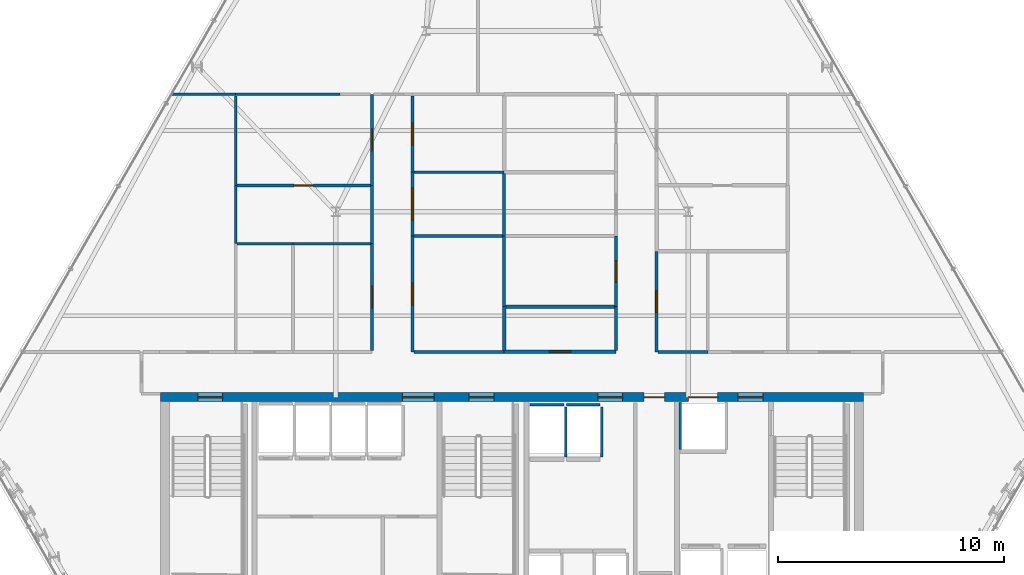
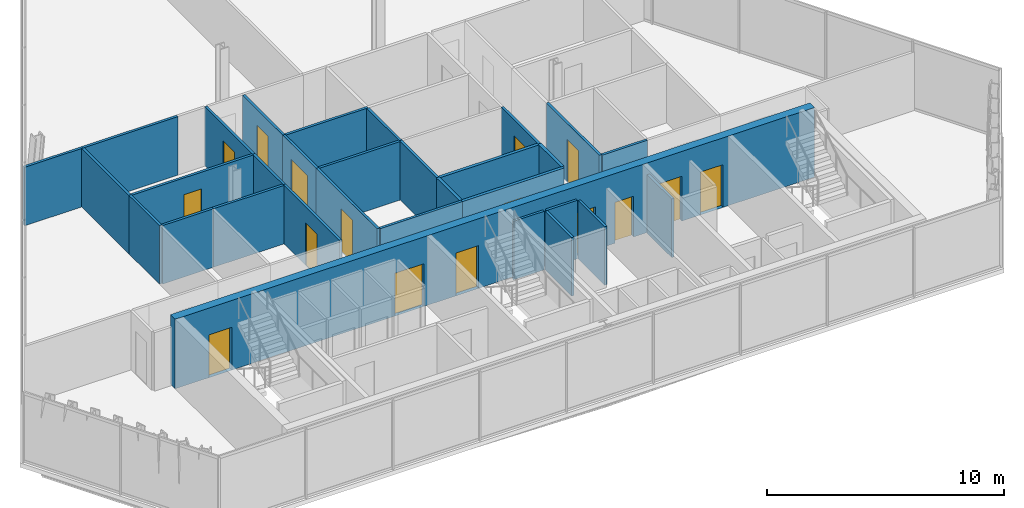
# One storey, part 28 of 33: 31 walls, 16 doors, 16 openings.
"""IFC4 building model written with IfcOpenShell, lengths in metres."""

from ifc_helpers import new_model, si_unit, direction, frame, frame_2d, origin, place, context, subcontext, project, spatial, rectangle, extrude, material, layer, layer_set, type_object, element, fill, save


model = new_model("IFC4")

# Units and contexts
model_context = context("Model", 3, precision=1e-05, world=origin(), true_north=direction((0.0, 1.0)))
body_context = subcontext(model_context, "Body", "Model", "MODEL_VIEW")
ifc_project = project(units=[si_unit("LENGTHUNIT", "METRE"), si_unit("AREAUNIT", "SQUARE_METRE"), si_unit("VOLUMEUNIT", "CUBIC_METRE"), si_unit("PLANEANGLEUNIT", "RADIAN"), si_unit("MASSUNIT", "GRAM", prefix="KILO")], contexts=[model_context])

# Site, building, storey
site_placement = place(None, origin())
site = spatial("IfcSite", under=ifc_project, at=site_placement, CompositionType="ELEMENT")
building_placement = place(site_placement, origin())
building = spatial("IfcBuilding", under=site, at=building_placement, Name="Ndaravel Arena Tower", CompositionType="ELEMENT")
storey_placement = place(building_placement, frame((0.0, 0.0, 187.800048828125)))
storey = spatial("IfcBuildingStorey", under=building, at=storey_placement, Name="L45", CompositionType="ELEMENT", Elevation=187.800048828125)

# Wall, openings, doors
ifc_material_1 = material(Name="Concrete C50/60", Category="concrete")
ifc_layer_1 = layer(ifc_material_1, 0.39990234375)
ifc_layer_set_1 = layer_set([ifc_layer_1], Name="Concrete C50/60")
wall_type_1 = type_object("IfcWallType", Name="WALL-CORE-400", PredefinedType="SOLIDWALL", material=ifc_layer_set_1)
wall_1_placement = place(storey_placement, frame((26.449951171875, 15.0, 0.0), z_axis=(0.0, 0.0, 1.0), x_axis=(1.0, 0.0, 0.0)))
wall_1 = element("IfcWall", 1, at=wall_1_placement, inside=storey, type_object=wall_type_1, Name="L45 Core North Shear Wall", PredefinedType="SOLIDWALL", context=body_context, shape_type="SweptSolid", body=[
    extrude(rectangle(XDim=31.10009765625, YDim=0.39990234375, at=frame_2d((15.550048828125, 0.0))), origin(), (0.0, 0.0, 1.0), 3.579833984375),
])
opening_1_placement = place(wall_1_placement, frame((1.64990234375, 0.0, 0.0)))
opening_1 = element("IfcOpeningElement", 2, at=opening_1_placement, cuts=wall_1, Name="Opening FD-01", PredefinedType="OPENING", context=body_context, shape_type="SweptSolid", body=[
    extrude(rectangle(XDim=1.10009765625, YDim=2.199951171875, at=frame_2d((0.550048828125, 1.10009765625))), frame((0.0, 0.199951171875, 0.0), z_axis=(0.0, -1.0, 0.0), x_axis=(1.0, 0.0, 0.0)), (0.0, 0.0, 1.0), 0.39990234375),
])
opening_2_placement = place(wall_1_placement, frame((13.64990234375, 0.0, 0.0)))
opening_2 = element("IfcOpeningElement", 3, at=opening_2_placement, cuts=wall_1, Name="Opening FD-01", PredefinedType="OPENING", context=body_context, shape_type="SweptSolid", body=[
    extrude(rectangle(XDim=1.10009765625, YDim=2.199951171875, at=frame_2d((0.550048828125, 1.10009765625))), frame((0.0, 0.199951171875, 0.0), z_axis=(0.0, -1.0, 0.0), x_axis=(1.0, 0.0, 0.0)), (0.0, 0.0, 1.0), 0.39990234375),
])
opening_3_placement = place(wall_1_placement, frame((25.550048828125, 0.0, 0.0)))
opening_3 = element("IfcOpeningElement", 4, at=opening_3_placement, cuts=wall_1, Name="Opening FD-01", PredefinedType="OPENING", context=body_context, shape_type="SweptSolid", body=[
    extrude(rectangle(XDim=1.10009765625, YDim=2.199951171875, at=frame_2d((0.550048828125, 1.10009765625))), frame((0.0, 0.199951171875, 0.0), z_axis=(0.0, -1.0, 0.0), x_axis=(1.0, 0.0, 0.0)), (0.0, 0.0, 1.0), 0.39990234375),
])
opening_4_placement = place(wall_1_placement, frame((10.699951171875, 0.0, 0.0)))
opening_4 = element("IfcOpeningElement", 5, at=opening_4_placement, cuts=wall_1, Name="Opening ID-02", PredefinedType="OPENING", context=body_context, shape_type="SweptSolid", body=[
    extrude(rectangle(XDim=1.39990234375, YDim=2.199951171875, at=frame_2d((0.699951171875, 1.10009765625))), frame((0.0, 0.199951171875, 0.0), z_axis=(0.0, -1.0, 0.0), x_axis=(1.0, 0.0, 0.0)), (0.0, 0.0, 1.0), 0.39990234375),
])
opening_5_placement = place(wall_1_placement, frame((19.35009765625, 0.0, 0.0)))
opening_5 = element("IfcOpeningElement", 6, at=opening_5_placement, cuts=wall_1, Name="Opening FD-01", PredefinedType="OPENING", context=body_context, shape_type="SweptSolid", body=[
    extrude(rectangle(XDim=1.10009765625, YDim=2.199951171875, at=frame_2d((0.550048828125, 1.10009765625))), frame((0.0, 0.199951171875, 0.0), z_axis=(0.0, -1.0, 0.0), x_axis=(1.0, 0.0, 0.0)), (0.0, 0.0, 1.0), 0.39990234375),
])
opening_6_placement = place(wall_1_placement, frame((21.39990234375, 0.0, 0.0)))
opening_6 = element("IfcOpeningElement", 7, at=opening_6_placement, cuts=wall_1, Name="Opening RD-01", PredefinedType="OPENING", context=body_context, shape_type="SweptSolid", body=[
    extrude(rectangle(XDim=0.89990234375, YDim=2.10009765625, at=frame_2d((0.449951171875, 1.050048828125))), frame((0.0, 0.199951171875, 0.0), z_axis=(0.0, -1.0, 0.0), x_axis=(1.0, 0.0, 0.0)), (0.0, 0.0, 1.0), 0.39990234375),
])
opening_7_placement = place(wall_1_placement, frame((23.35009765625, 0.0, 0.0)))
opening_7 = element("IfcOpeningElement", 8, at=opening_7_placement, cuts=wall_1, Name="Opening LD-02", PredefinedType="OPENING", context=body_context, shape_type="SweptSolid", body=[
    extrude(rectangle(XDim=1.300048828125, YDim=2.300048828125, at=frame_2d((0.64990234375, 1.14990234375))), frame((0.0, 0.199951171875, 0.0), z_axis=(0.0, -1.0, 0.0), x_axis=(1.0, 0.0, 0.0)), (0.0, 0.0, 1.0), 0.39990234375),
])
ifc_material_2 = material(Name="Steel S355", Category="steel")
door_type_1 = type_object("IfcDoorType", Name="DT-01-STAIR-1100", OperationType="SINGLE_SWING_LEFT", PredefinedType="DOOR", material=ifc_material_2)
door_1_placement = place(opening_1_placement, origin())
door_1 = element("IfcDoor", 9, at=door_1_placement, inside=storey, type_object=door_type_1, Name="L45 Exit Stair ST-1 Door", OperationType="SINGLE_SWING_RIGHT", OverallHeight=2.199951171875, OverallWidth=1.10009765625, PredefinedType="DOOR", context=body_context, shape_type="SweptSolid", body=[
    extrude(rectangle(XDim=1.10009765625, YDim=2.199951171875, at=frame_2d((0.550048828125, 1.10009765625))), frame((0.0, 0.02490234375, 0.0), z_axis=(0.0, -1.0, 0.0), x_axis=(1.0, 0.0, 0.0)), (0.0, 0.0, 1.0), 0.050048828125),
])
fill(opening_1, door_1)
door_2_placement = place(opening_2_placement, origin())
door_2 = element("IfcDoor", 10, at=door_2_placement, inside=storey, type_object=door_type_1, Name="L45 Exit Stair ST-2 Door", OperationType="SINGLE_SWING_LEFT", OverallHeight=2.199951171875, OverallWidth=1.10009765625, PredefinedType="DOOR", context=body_context, shape_type="SweptSolid", body=[
    extrude(rectangle(XDim=1.10009765625, YDim=2.199951171875, at=frame_2d((0.550048828125, 1.10009765625))), frame((0.0, 0.02490234375, 0.0), z_axis=(0.0, -1.0, 0.0), x_axis=(1.0, 0.0, 0.0)), (0.0, 0.0, 1.0), 0.050048828125),
])
fill(opening_2, door_2)
door_3_placement = place(opening_3_placement, origin())
door_3 = element("IfcDoor", 11, at=door_3_placement, inside=storey, type_object=door_type_1, Name="L45 Firefighting Lift Lobby Door", OperationType="SINGLE_SWING_RIGHT", OverallHeight=2.199951171875, OverallWidth=1.10009765625, PredefinedType="DOOR", context=body_context, shape_type="SweptSolid", body=[
    extrude(rectangle(XDim=1.10009765625, YDim=2.199951171875, at=frame_2d((0.550048828125, 1.10009765625))), frame((0.0, 0.02490234375, 0.0), z_axis=(0.0, -1.0, 0.0), x_axis=(1.0, 0.0, 0.0)), (0.0, 0.0, 1.0), 0.050048828125),
])
fill(opening_3, door_3)
door_4_placement = place(opening_5_placement, origin())
door_4 = element("IfcDoor", 12, at=door_4_placement, inside=storey, type_object=door_type_1, Name="L45 Express Lift Lobby Entry Door", OperationType="SINGLE_SWING_LEFT", OverallHeight=2.199951171875, OverallWidth=1.10009765625, PredefinedType="DOOR", context=body_context, shape_type="SweptSolid", body=[
    extrude(rectangle(XDim=1.10009765625, YDim=2.199951171875, at=frame_2d((0.550048828125, 1.10009765625))), frame((0.0, 0.02490234375, 0.0), z_axis=(0.0, -1.0, 0.0), x_axis=(1.0, 0.0, 0.0)), (0.0, 0.0, 1.0), 0.050048828125),
])
fill(opening_5, door_4)
ifc_material_3 = material(Name="Timber", Category="wood")
door_type_2 = type_object("IfcDoorType", Name="DT-04-SUITE-1400", OperationType="DOUBLE_DOOR_SINGLE_SWING", PredefinedType="DOOR", material=ifc_material_3)
door_5_placement = place(opening_4_placement, origin())
door_5 = element("IfcDoor", 13, at=door_5_placement, inside=storey, type_object=door_type_2, Name="L45 West Lift Lobby Entry Door", OperationType="DOUBLE_DOOR_SINGLE_SWING", OverallHeight=2.199951171875, OverallWidth=1.39990234375, PredefinedType="DOOR", context=body_context, shape_type="SweptSolid", body=[
    extrude(rectangle(XDim=1.39990234375, YDim=2.199951171875, at=frame_2d((0.699951171875, 1.10009765625))), frame((0.0, 0.02490234375, 0.0), z_axis=(0.0, -1.0, 0.0), x_axis=(1.0, 0.0, 0.0)), (0.0, 0.0, 1.0), 0.050048828125),
])
fill(opening_4, door_5)
ifc_material_4 = material(Name="Steel S355", Category="steel")
door_type_3 = type_object("IfcDoorType", Name="DT-07-SVLIFT-1300", OperationType="DOUBLE_DOOR_SLIDING", PredefinedType="DOOR", material=ifc_material_4)
door_6_placement = place(opening_7_placement, origin())
door_6 = element("IfcDoor", 14, at=door_6_placement, inside=storey, type_object=door_type_3, Name="L45 Lift SVL-1 Sliding Landing Door", OperationType="DOUBLE_DOOR_SLIDING", OverallHeight=2.300048828125, OverallWidth=1.300048828125, PredefinedType="DOOR", context=body_context, shape_type="SweptSolid", body=[
    extrude(rectangle(XDim=1.300048828125, YDim=2.300048828125, at=frame_2d((0.64990234375, 1.14990234375))), frame((0.0, 0.02490234375, 0.0), z_axis=(0.0, -1.0, 0.0), x_axis=(1.0, 0.0, 0.0)), (0.0, 0.0, 1.0), 0.050048828125),
])
fill(opening_7, door_6)
ifc_material_5 = material(Name="Steel S355", Category="steel")
door_type_4 = type_object("IfcDoorType", Name="DT-08-RISER-900", OperationType="SINGLE_SWING_LEFT", PredefinedType="DOOR", material=ifc_material_5)
door_7_placement = place(opening_6_placement, origin())
door_7 = element("IfcDoor", 15, at=door_7_placement, inside=storey, type_object=door_type_4, Name="L45 Core Service Riser North Door", OperationType="SINGLE_SWING_LEFT", OverallHeight=2.10009765625, OverallWidth=0.89990234375, PredefinedType="DOOR", context=body_context, shape_type="SweptSolid", body=[
    extrude(rectangle(XDim=0.89990234375, YDim=2.10009765625, at=frame_2d((0.449951171875, 1.050048828125))), frame((0.0, 0.02490234375, 0.0), z_axis=(0.0, -1.0, 0.0), x_axis=(1.0, 0.0, 0.0)), (0.0, 0.0, 1.0), 0.050048828125),
])
fill(opening_6, door_7)

# Wall, opening, door
ifc_material_6 = material(Name="Gypsum", Category="gypsum")
ifc_layer_2 = layer(ifc_material_6, 0.125)
ifc_layer_set_2 = layer_set([ifc_layer_2], Name="Gypsum")
wall_type_2 = type_object("IfcWallType", Name="WALL-PART-125", PredefinedType="PARTITIONING", material=ifc_layer_set_2)
wall_2_placement = place(storey_placement, frame((35.800048828125, 17.06494140625, 0.0), z_axis=(0.0, 0.0, 1.0), x_axis=(0.0, 1.0, 0.0)))
wall_2 = element("IfcWall", 16, at=wall_2_placement, inside=storey, type_object=wall_type_2, Name="L45 Interior Partition 009", PredefinedType="PARTITIONING", context=body_context, shape_type="SweptSolid", body=[
    extrude(rectangle(XDim=4.72314453125, YDim=0.125, at=frame_2d((2.361572265625, 0.0))), origin(), (0.0, 0.0, 1.0), 3.010498046875),
])
opening_8_placement = place(wall_2_placement, frame((1.886474609375, 0.0, 0.0)))
opening_8 = element("IfcOpeningElement", 17, at=opening_8_placement, cuts=wall_2, Name="Opening ID-01", PredefinedType="OPENING", context=body_context, shape_type="SweptSolid", body=[
    extrude(rectangle(XDim=0.949951171875, YDim=2.199951171875, at=frame_2d((0.47509765625, 1.10009765625))), frame((0.0, 0.0625, 0.0), z_axis=(0.0, -1.0, 0.0), x_axis=(1.0, 0.0, 0.0)), (0.0, 0.0, 1.0), 0.125),
])
ifc_material_7 = material(Name="Timber", Category="wood")
door_type_5 = type_object("IfcDoorType", Name="DT-03-OFFICE-950", OperationType="SINGLE_SWING_LEFT", PredefinedType="DOOR", material=ifc_material_7)
door_8_placement = place(opening_8_placement, origin())
door_8 = element("IfcDoor", 18, at=door_8_placement, inside=storey, type_object=door_type_5, Name="L45 Tenant Mail & Post Room 2 Door", OperationType="SINGLE_SWING_RIGHT", OverallHeight=2.199951171875, OverallWidth=0.949951171875, PredefinedType="DOOR", context=body_context, shape_type="SweptSolid", body=[
    extrude(rectangle(XDim=0.949951171875, YDim=2.199951171875, at=frame_2d((0.47509765625, 1.10009765625))), frame((0.0, 0.02490234375, 0.0), z_axis=(0.0, -1.0, 0.0), x_axis=(1.0, 0.0, 0.0)), (0.0, 0.0, 1.0), 0.050048828125),
])
fill(opening_8, door_8)

# Wall
wall_3_placement = place(storey_placement, frame((35.800048828125, 21.7880859375, 0.0), z_axis=(0.0, 0.0, 1.0), x_axis=(0.0, 1.0, 0.0)))
element("IfcWall", 19, at=wall_3_placement, inside=storey, type_object=wall_type_2, Name="L45 Interior Partition 010", PredefinedType="PARTITIONING", context=body_context, shape_type="SweptSolid", body=[
    extrude(rectangle(XDim=2.57861328125, YDim=0.125, at=frame_2d((1.289306640625, 0.0))), origin(), (0.0, 0.0, 1.0), 3.010498046875),
])

# Wall, opening, door
wall_4_placement = place(storey_placement, frame((35.800048828125, 24.36669921875, 0.0), z_axis=(0.0, 0.0, 1.0), x_axis=(0.0, 1.0, 0.0)))
wall_4 = element("IfcWall", 20, at=wall_4_placement, inside=storey, type_object=wall_type_2, Name="L45 Interior Partition 011", PredefinedType="PARTITIONING", context=body_context, shape_type="SweptSolid", body=[
    extrude(rectangle(XDim=4.033203125, YDim=0.125, at=frame_2d((2.0166015625, 0.0))), origin(), (0.0, 0.0, 1.0), 3.010498046875),
])
opening_9_placement = place(wall_4_placement, frame((1.54150390625, 0.0, 0.0)))
opening_9 = element("IfcOpeningElement", 21, at=opening_9_placement, cuts=wall_4, Name="Opening ID-01", PredefinedType="OPENING", context=body_context, shape_type="SweptSolid", body=[
    extrude(rectangle(XDim=0.949951171875, YDim=2.199951171875, at=frame_2d((0.47509765625, 1.10009765625))), frame((0.0, 0.0625, 0.0), z_axis=(0.0, -1.0, 0.0), x_axis=(1.0, 0.0, 0.0)), (0.0, 0.0, 1.0), 0.125),
])
door_9_placement = place(opening_9_placement, origin())
door_9 = element("IfcDoor", 22, at=door_9_placement, inside=storey, type_object=door_type_5, Name="L45 Project Seminar Room 7 Door", OperationType="SINGLE_SWING_LEFT", OverallHeight=2.199951171875, OverallWidth=0.949951171875, PredefinedType="DOOR", context=body_context, shape_type="SweptSolid", body=[
    extrude(rectangle(XDim=0.949951171875, YDim=2.199951171875, at=frame_2d((0.47509765625, 1.10009765625))), frame((0.0, 0.02490234375, 0.0), z_axis=(0.0, -1.0, 0.0), x_axis=(1.0, 0.0, 0.0)), (0.0, 0.0, 1.0), 0.050048828125),
])
fill(opening_9, door_9)

wall_5_placement = place(storey_placement, frame((37.60009765625, 28.3349609375, 0.0), z_axis=(0.0, 0.0, 1.0), x_axis=(0.0, -1.0, 0.0)))
wall_5 = element("IfcWall", 23, at=wall_5_placement, inside=storey, type_object=wall_type_2, Name="L45 Interior Partition 013", PredefinedType="PARTITIONING", context=body_context, shape_type="SweptSolid", body=[
    extrude(rectangle(XDim=3.383544921875, YDim=0.125, at=frame_2d((1.69189453125, 0.0))), origin(), (0.0, 0.0, 1.0), 3.010498046875),
])
opening_10_placement = place(wall_5_placement, frame((1.216796875, 0.0, 0.0)))
opening_10 = element("IfcOpeningElement", 24, at=opening_10_placement, cuts=wall_5, Name="Opening ID-01", PredefinedType="OPENING", context=body_context, shape_type="SweptSolid", body=[
    extrude(rectangle(XDim=0.949951171875, YDim=2.199951171875, at=frame_2d((0.47509765625, 1.10009765625))), frame((0.0, 0.0625, 0.0), z_axis=(0.0, -1.0, 0.0), x_axis=(1.0, 0.0, 0.0)), (0.0, 0.0, 1.0), 0.125),
])
door_10_placement = place(opening_10_placement, origin())
door_10 = element("IfcDoor", 25, at=door_10_placement, inside=storey, type_object=door_type_5, Name="L45 Training Classroom 8 Door", OperationType="SINGLE_SWING_LEFT", OverallHeight=2.199951171875, OverallWidth=0.949951171875, PredefinedType="DOOR", context=body_context, shape_type="SweptSolid", body=[
    extrude(rectangle(XDim=0.949951171875, YDim=2.199951171875, at=frame_2d((0.47509765625, 1.10009765625))), frame((0.0, 0.02490234375, 0.0), z_axis=(0.0, -1.0, 0.0), x_axis=(1.0, 0.0, 0.0)), (0.0, 0.0, 1.0), 0.050048828125),
])
fill(opening_10, door_10)

wall_6_placement = place(storey_placement, frame((37.60009765625, 24.951416015625, 0.0), z_axis=(0.0, 0.0, 1.0), x_axis=(0.0, -1.0, 0.0)))
wall_6 = element("IfcWall", 26, at=wall_6_placement, inside=storey, type_object=wall_type_2, Name="L45 Interior Partition 014", PredefinedType="PARTITIONING", context=body_context, shape_type="SweptSolid", body=[
    extrude(rectangle(XDim=2.821533203125, YDim=0.125, at=frame_2d((1.41064453125, 0.0))), origin(), (0.0, 0.0, 1.0), 3.010498046875),
])
opening_11_placement = place(wall_6_placement, frame((0.710693359375, 0.0, 0.0)))
opening_11 = element("IfcOpeningElement", 27, at=opening_11_placement, cuts=wall_6, Name="Opening ID-02", PredefinedType="OPENING", context=body_context, shape_type="SweptSolid", body=[
    extrude(rectangle(XDim=1.39990234375, YDim=2.199951171875, at=frame_2d((0.699951171875, 1.10009765625))), frame((0.0, 0.0625, 0.0), z_axis=(0.0, -1.0, 0.0), x_axis=(1.0, 0.0, 0.0)), (0.0, 0.0, 1.0), 0.125),
])
door_11_placement = place(opening_11_placement, origin())
door_11 = element("IfcDoor", 28, at=door_11_placement, inside=storey, type_object=door_type_2, Name="L45 Client Conference Room 6 Door", OperationType="SINGLE_SWING_LEFT", OverallHeight=2.199951171875, OverallWidth=1.39990234375, PredefinedType="DOOR", context=body_context, shape_type="SweptSolid", body=[
    extrude(rectangle(XDim=1.39990234375, YDim=2.199951171875, at=frame_2d((0.699951171875, 1.10009765625))), frame((0.0, 0.02490234375, 0.0), z_axis=(0.0, -1.0, 0.0), x_axis=(1.0, 0.0, 0.0)), (0.0, 0.0, 1.0), 0.050048828125),
])
fill(opening_11, door_11)

wall_7_placement = place(storey_placement, frame((37.60009765625, 22.1298828125, 0.0), z_axis=(0.0, 0.0, 1.0), x_axis=(0.0, -1.0, 0.0)))
wall_7 = element("IfcWall", 29, at=wall_7_placement, inside=storey, type_object=wall_type_2, Name="L45 Interior Partition 015", PredefinedType="PARTITIONING", context=body_context, shape_type="SweptSolid", body=[
    extrude(rectangle(XDim=5.1298828125, YDim=0.125, at=frame_2d((2.56494140625, 0.0))), origin(), (0.0, 0.0, 1.0), 3.010498046875),
])
opening_12_placement = place(wall_7_placement, frame((2.090087890625, 0.0, 0.0)))
opening_12 = element("IfcOpeningElement", 30, at=opening_12_placement, cuts=wall_7, Name="Opening ID-01", PredefinedType="OPENING", context=body_context, shape_type="SweptSolid", body=[
    extrude(rectangle(XDim=0.949951171875, YDim=2.199951171875, at=frame_2d((0.47509765625, 1.10009765625))), frame((0.0, 0.0625, 0.0), z_axis=(0.0, -1.0, 0.0), x_axis=(1.0, 0.0, 0.0)), (0.0, 0.0, 1.0), 0.125),
])
door_12_placement = place(opening_12_placement, origin())
door_12 = element("IfcDoor", 31, at=door_12_placement, inside=storey, type_object=door_type_5, Name="L45 Facilities Operations Room 3 Door", OperationType="SINGLE_SWING_LEFT", OverallHeight=2.199951171875, OverallWidth=0.949951171875, PredefinedType="DOOR", context=body_context, shape_type="SweptSolid", body=[
    extrude(rectangle(XDim=0.949951171875, YDim=2.199951171875, at=frame_2d((0.47509765625, 1.10009765625))), frame((0.0, 0.02490234375, 0.0), z_axis=(0.0, -1.0, 0.0), x_axis=(1.0, 0.0, 0.0)), (0.0, 0.0, 1.0), 0.050048828125),
])
fill(opening_12, door_12)

# Wall
wall_8_placement = place(storey_placement, frame((37.6650390625, 17.0, 0.0), z_axis=(0.0, 0.0, 1.0), x_axis=(1.0, 0.0, 0.0)))
element("IfcWall", 32, at=wall_8_placement, inside=storey, type_object=wall_type_2, Name="L45 Interior Partition 016", PredefinedType="PARTITIONING", context=body_context, shape_type="SweptSolid", body=[
    extrude(rectangle(XDim=3.98486328125, YDim=0.125, at=frame_2d((1.992431640625, 0.0))), origin(), (0.0, 0.0, 1.0), 3.010498046875),
])

# Wall, opening, door
wall_9_placement = place(storey_placement, frame((46.60009765625, 19.000732421875, 0.0), z_axis=(0.0, 0.0, 1.0), x_axis=(0.0, 1.0, 0.0)))
wall_9 = element("IfcWall", 33, at=wall_9_placement, inside=storey, type_object=wall_type_2, Name="L45 Interior Partition 019", PredefinedType="PARTITIONING", context=body_context, shape_type="SweptSolid", body=[
    extrude(rectangle(XDim=3.129150390625, YDim=0.125, at=frame_2d((1.564453125, 0.0))), origin(), (0.0, 0.0, 1.0), 3.010498046875),
])
opening_13_placement = place(wall_9_placement, frame((1.089599609375, 0.0, 0.0)))
opening_13 = element("IfcOpeningElement", 34, at=opening_13_placement, cuts=wall_9, Name="Opening ID-01", PredefinedType="OPENING", context=body_context, shape_type="SweptSolid", body=[
    extrude(rectangle(XDim=0.949951171875, YDim=2.199951171875, at=frame_2d((0.47509765625, 1.10009765625))), frame((0.0, 0.0625, 0.0), z_axis=(0.0, -1.0, 0.0), x_axis=(1.0, 0.0, 0.0)), (0.0, 0.0, 1.0), 0.125),
])
door_13_placement = place(opening_13_placement, origin())
door_13 = element("IfcDoor", 35, at=door_13_placement, inside=storey, type_object=door_type_5, Name="L45 Training Classroom 4 Door", OperationType="SINGLE_SWING_RIGHT", OverallHeight=2.199951171875, OverallWidth=0.949951171875, PredefinedType="DOOR", context=body_context, shape_type="SweptSolid", body=[
    extrude(rectangle(XDim=0.949951171875, YDim=2.199951171875, at=frame_2d((0.47509765625, 1.10009765625))), frame((0.0, 0.02490234375, 0.0), z_axis=(0.0, -1.0, 0.0), x_axis=(1.0, 0.0, 0.0)), (0.0, 0.0, 1.0), 0.050048828125),
])
fill(opening_13, door_13)

wall_10_placement = place(storey_placement, frame((48.39990234375, 21.446044921875, 0.0), z_axis=(0.0, 0.0, 1.0), x_axis=(0.0, -1.0, 0.0)))
wall_10 = element("IfcWall", 36, at=wall_10_placement, inside=storey, type_object=wall_type_2, Name="L45 Interior Partition 025", PredefinedType="PARTITIONING", context=body_context, shape_type="SweptSolid", body=[
    extrude(rectangle(XDim=4.446044921875, YDim=0.125, at=frame_2d((2.22314453125, 0.0))), origin(), (0.0, 0.0, 1.0), 3.010498046875),
])
opening_14_placement = place(wall_10_placement, frame((1.748046875, 0.0, 0.0)))
opening_14 = element("IfcOpeningElement", 37, at=opening_14_placement, cuts=wall_10, Name="Opening ID-01", PredefinedType="OPENING", context=body_context, shape_type="SweptSolid", body=[
    extrude(rectangle(XDim=0.949951171875, YDim=2.199951171875, at=frame_2d((0.47509765625, 1.10009765625))), frame((0.0, 0.0625, 0.0), z_axis=(0.0, -1.0, 0.0), x_axis=(1.0, 0.0, 0.0)), (0.0, 0.0, 1.0), 0.125),
])
door_14_placement = place(opening_14_placement, origin())
door_14 = element("IfcDoor", 38, at=door_14_placement, inside=storey, type_object=door_type_5, Name="L45 Staff Wellness Clinic Door", OperationType="SINGLE_SWING_LEFT", OverallHeight=2.199951171875, OverallWidth=0.949951171875, PredefinedType="DOOR", context=body_context, shape_type="SweptSolid", body=[
    extrude(rectangle(XDim=0.949951171875, YDim=2.199951171875, at=frame_2d((0.47509765625, 1.10009765625))), frame((0.0, 0.02490234375, 0.0), z_axis=(0.0, -1.0, 0.0), x_axis=(1.0, 0.0, 0.0)), (0.0, 0.0, 1.0), 0.050048828125),
])
fill(opening_14, door_14)

# Walls
wall_11_placement = place(storey_placement, frame((48.465087890625, 17.0, 0.0), z_axis=(0.0, 0.0, 1.0), x_axis=(1.0, 0.0, 0.0)))
element("IfcWall", 39, at=wall_11_placement, inside=storey, type_object=wall_type_2, Name="L45 Interior Partition 026", PredefinedType="PARTITIONING", context=body_context, shape_type="SweptSolid", body=[
    extrude(rectangle(XDim=2.197021484375, YDim=0.125, at=frame_2d((1.0986328125, 0.0))), origin(), (0.0, 0.0, 1.0), 3.010498046875),
])
wall_12_placement = place(storey_placement, frame((29.841064453125, 21.7880859375, 0.0), z_axis=(0.0, 0.0, 1.0), x_axis=(1.0, 0.0, 0.0)))
element("IfcWall", 40, at=wall_12_placement, inside=storey, type_object=wall_type_2, Name="L45 Interior Partition 038", PredefinedType="PARTITIONING", context=body_context, shape_type="SweptSolid", body=[
    extrude(rectangle(XDim=2.465087890625, YDim=0.125, at=frame_2d((1.232421875, 0.0))), origin(), (0.0, 0.0, 1.0), 3.010498046875),
])
wall_13_placement = place(storey_placement, frame((32.30615234375, 21.7880859375, 0.0), z_axis=(0.0, 0.0, 1.0), x_axis=(1.0, 0.0, 0.0)))
element("IfcWall", 41, at=wall_13_placement, inside=storey, type_object=wall_type_2, Name="L45 Interior Partition 040", PredefinedType="PARTITIONING", context=body_context, shape_type="SweptSolid", body=[
    extrude(rectangle(XDim=3.428955078125, YDim=0.125, at=frame_2d((1.71435546875, 0.0))), origin(), (0.0, 0.0, 1.0), 3.010498046875),
])
wall_14_placement = place(storey_placement, frame((41.64990234375, 22.1298828125, 0.0), z_axis=(0.0, 0.0, 1.0), x_axis=(0.0, -1.0, 0.0)))
element("IfcWall", 42, at=wall_14_placement, inside=storey, type_object=wall_type_2, Name="L45 Interior Partition 041", PredefinedType="PARTITIONING", context=body_context, shape_type="SweptSolid", body=[
    extrude(rectangle(XDim=3.129150390625, YDim=0.125, at=frame_2d((1.564453125, 0.0))), origin(), (0.0, 0.0, 1.0), 3.010498046875),
])
wall_15_placement = place(storey_placement, frame((37.6650390625, 22.1298828125, 0.0), z_axis=(0.0, 0.0, 1.0), x_axis=(1.0, 0.0, 0.0)))
element("IfcWall", 43, at=wall_15_placement, inside=storey, type_object=wall_type_2, Name="L45 Interior Partition 042", PredefinedType="PARTITIONING", context=body_context, shape_type="SweptSolid", body=[
    extrude(rectangle(XDim=3.919921875, YDim=0.125, at=frame_2d((1.9599609375, 0.0))), origin(), (0.0, 0.0, 1.0), 3.010498046875),
])
wall_16_placement = place(storey_placement, frame((26.935791015625, 28.39990234375, 0.0), z_axis=(0.0, 0.0, 1.0), x_axis=(1.0, 0.0, 0.0)))
element("IfcWall", 44, at=wall_16_placement, inside=storey, type_object=wall_type_2, Name="L45 Interior Partition 044", PredefinedType="PARTITIONING", context=body_context, shape_type="SweptSolid", body=[
    extrude(rectangle(XDim=2.84033203125, YDim=0.125, at=frame_2d((1.420166015625, 0.0))), origin(), (0.0, 0.0, 1.0), 3.010498046875),
])
wall_17_placement = place(storey_placement, frame((29.776123046875, 28.3349609375, 0.0), z_axis=(0.0, 0.0, 1.0), x_axis=(0.0, -1.0, 0.0)))
element("IfcWall", 45, at=wall_17_placement, inside=storey, type_object=wall_type_2, Name="L45 Interior Partition 045", PredefinedType="PARTITIONING", context=body_context, shape_type="SweptSolid", body=[
    extrude(rectangle(XDim=3.96826171875, YDim=0.125, at=frame_2d((1.984130859375, 0.0))), origin(), (0.0, 0.0, 1.0), 3.010498046875),
])
wall_18_placement = place(storey_placement, frame((29.776123046875, 24.36669921875, 0.0), z_axis=(0.0, 0.0, 1.0), x_axis=(0.0, -1.0, 0.0)))
element("IfcWall", 46, at=wall_18_placement, inside=storey, type_object=wall_type_2, Name="L45 Interior Partition 046", PredefinedType="PARTITIONING", context=body_context, shape_type="SweptSolid", body=[
    extrude(rectangle(XDim=2.57861328125, YDim=0.125, at=frame_2d((1.289306640625, 0.0))), origin(), (0.0, 0.0, 1.0), 3.010498046875),
])
wall_19_placement = place(storey_placement, frame((37.6650390625, 24.951416015625, 0.0), z_axis=(0.0, 0.0, 1.0), x_axis=(1.0, 0.0, 0.0)))
element("IfcWall", 47, at=wall_19_placement, inside=storey, type_object=wall_type_2, Name="L45 Interior Partition 052", PredefinedType="PARTITIONING", context=body_context, shape_type="SweptSolid", body=[
    extrude(rectangle(XDim=3.98486328125, YDim=0.125, at=frame_2d((1.992431640625, 0.0))), origin(), (0.0, 0.0, 1.0), 3.010498046875),
])
wall_20_placement = place(storey_placement, frame((41.64990234375, 24.886474609375, 0.0), z_axis=(0.0, 0.0, 1.0), x_axis=(0.0, -1.0, 0.0)))
element("IfcWall", 48, at=wall_20_placement, inside=storey, type_object=wall_type_2, Name="L45 Interior Partition 053", PredefinedType="PARTITIONING", context=body_context, shape_type="SweptSolid", body=[
    extrude(rectangle(XDim=2.756591796875, YDim=0.125, at=frame_2d((1.37841796875, 0.0))), origin(), (0.0, 0.0, 1.0), 3.010498046875),
])
wall_21_placement = place(storey_placement, frame((29.776123046875, 28.39990234375, 0.0), z_axis=(0.0, 0.0, 1.0), x_axis=(1.0, 0.0, 0.0)))
element("IfcWall", 49, at=wall_21_placement, inside=storey, type_object=wall_type_2, Name="L45 Interior Partition 055", PredefinedType="PARTITIONING", context=body_context, shape_type="SweptSolid", body=[
    extrude(rectangle(XDim=4.623779296875, YDim=0.125, at=frame_2d((2.31201171875, 0.0))), origin(), (0.0, 0.0, 1.0), 3.010498046875),
])
ifc_material_8 = material(Name="Concrete C40/50", Category="concrete")
ifc_layer_3 = layer(ifc_material_8, 0.1201171875)
ifc_layer_set_3 = layer_set([ifc_layer_3], Name="Concrete C40/50")
wall_type_3 = type_object("IfcWallType", Name="WALL-SHAFT-120", PredefinedType="SOLIDWALL", material=ifc_layer_set_3)
wall_22_placement = place(storey_placement, frame((42.804931640625, 14.659912109375, 0.0), z_axis=(0.0, 0.0, 1.0), x_axis=(1.0, 0.0, 0.0)))
element("IfcWall", 50, at=wall_22_placement, inside=storey, type_object=wall_type_3, Name="L45 PL-OBS1 Shaft Rear Wall", PredefinedType="SOLIDWALL", context=body_context, shape_type="SweptSolid", body=[
    extrude(rectangle(XDim=1.489990234375, YDim=0.1201171875, at=frame_2d((0.7451171875, 0.0))), origin(), (0.0, 0.0, 1.0), 3.010498046875),
])
wall_23_placement = place(storey_placement, frame((44.375, 12.340087890625, 0.0), z_axis=(0.0, 0.0, 1.0), x_axis=(0.0, 1.0, 0.0)))
element("IfcWall", 51, at=wall_23_placement, inside=storey, type_object=wall_type_3, Name="L45 PL-OBS1 Shaft Side R Wall", PredefinedType="SOLIDWALL", context=body_context, shape_type="SweptSolid", body=[
    extrude(rectangle(XDim=2.22998046875, YDim=0.1201171875, at=frame_2d((1.114990234375, 0.0))), origin(), (0.0, 0.0, 1.0), 3.010498046875),
])
wall_24_placement = place(storey_placement, frame((44.405029296875, 14.659912109375, 0.0), z_axis=(0.0, 0.0, 1.0), x_axis=(1.0, 0.0, 0.0)))
element("IfcWall", 52, at=wall_24_placement, inside=storey, type_object=wall_type_3, Name="L45 PL-OBS2 Shaft Rear Wall", PredefinedType="SOLIDWALL", context=body_context, shape_type="SweptSolid", body=[
    extrude(rectangle(XDim=1.489990234375, YDim=0.1201171875, at=frame_2d((0.7451171875, 0.0))), origin(), (0.0, 0.0, 1.0), 3.010498046875),
])
wall_25_placement = place(storey_placement, frame((45.97509765625, 12.340087890625, 0.0), z_axis=(0.0, 0.0, 1.0), x_axis=(0.0, 1.0, 0.0)))
element("IfcWall", 53, at=wall_25_placement, inside=storey, type_object=wall_type_3, Name="L45 PL-OBS2 Shaft Side R Wall", PredefinedType="SOLIDWALL", context=body_context, shape_type="SweptSolid", body=[
    extrude(rectangle(XDim=2.22998046875, YDim=0.1201171875, at=frame_2d((1.114990234375, 0.0))), origin(), (0.0, 0.0, 1.0), 3.010498046875),
])
wall_26_placement = place(storey_placement, frame((49.43994140625, 12.68994140625, 0.0), z_axis=(0.0, 0.0, 1.0), x_axis=(0.0, 1.0, 0.0)))
element("IfcWall", 54, at=wall_26_placement, inside=storey, type_object=wall_type_3, Name="L45 SVL-1 Shaft W Wall", PredefinedType="SOLIDWALL", context=body_context, shape_type="SweptSolid", body=[
    extrude(rectangle(XDim=2.070068359375, YDim=0.1201171875, at=frame_2d((1.03515625, 0.0))), origin(), (0.0, 0.0, 1.0), 3.010498046875),
])

# Wall, opening, door
ifc_material_9 = material(Name="Masonry", Category="masonry")
ifc_layer_4 = layer(ifc_material_9, 0.14990234375)
ifc_layer_set_4 = layer_set([ifc_layer_4], Name="Masonry")
wall_type_4 = type_object("IfcWallType", Name="WALL-WET-150", PredefinedType="PARTITIONING", material=ifc_layer_set_4)
wall_27_placement = place(storey_placement, frame((41.64990234375, 17.0, 0.0), z_axis=(0.0, 0.0, 1.0), x_axis=(1.0, 0.0, 0.0)))
wall_27 = element("IfcWall", 55, at=wall_27_placement, inside=storey, type_object=wall_type_4, Name="L45 Interior Partition 017", PredefinedType="PARTITIONING", context=body_context, shape_type="SweptSolid", body=[
    extrude(rectangle(XDim=4.9501953125, YDim=0.14990234375, at=frame_2d((2.47509765625, 0.0))), origin(), (0.0, 0.0, 1.0), 3.010498046875),
])
opening_15_placement = place(wall_27_placement, frame((2.0, 0.0, 0.0)))
opening_15 = element("IfcOpeningElement", 56, at=opening_15_placement, cuts=wall_27, Name="Opening FD-03", PredefinedType="OPENING", context=body_context, shape_type="SweptSolid", body=[
    extrude(rectangle(XDim=0.949951171875, YDim=2.199951171875, at=frame_2d((0.47509765625, 1.10009765625))), frame((0.0, 0.074951171875, 0.0), z_axis=(0.0, -1.0, 0.0), x_axis=(1.0, 0.0, 0.0)), (0.0, 0.0, 1.0), 0.14990234375),
])
ifc_material_10 = material(Name="Steel S355", Category="steel")
door_type_6 = type_object("IfcDoorType", Name="DT-11-CORE-950", OperationType="SINGLE_SWING_LEFT", PredefinedType="DOOR", material=ifc_material_10)
door_15_placement = place(opening_15_placement, origin())
door_15 = element("IfcDoor", 57, at=door_15_placement, inside=storey, type_object=door_type_6, Name="L45 Staff Espresso Kitchen Door", OperationType="SINGLE_SWING_RIGHT", OverallHeight=2.199951171875, OverallWidth=0.949951171875, PredefinedType="DOOR", context=body_context, shape_type="SweptSolid", body=[
    extrude(rectangle(XDim=0.949951171875, YDim=2.199951171875, at=frame_2d((0.47509765625, 1.10009765625))), frame((0.0, 0.02490234375, 0.0), z_axis=(0.0, -1.0, 0.0), x_axis=(1.0, 0.0, 0.0)), (0.0, 0.0, 1.0), 0.050048828125),
])
fill(opening_15, door_15)

# Walls
for number, where, z_axis, x_axis, name in (
    (58, (46.60009765625, 17.06494140625, 0.0), (0.0, 0.0, 1.0), (0.0, 1.0, 0.0), "L45 Interior Partition 018"),
    (59, (41.64990234375, 17.06494140625, 0.0), (0.0, 0.0, 1.0), (0.0, 1.0, 0.0), "L45 Interior Partition 031"),
):
    element("IfcWall", number, at=place(storey_placement, frame(where, z_axis=z_axis, x_axis=x_axis)), inside=storey, type_object=wall_type_4, Name=name, PredefinedType="PARTITIONING", context=body_context, shape_type="SweptSolid", body=[
        extrude(rectangle(XDim=1.935791015625, YDim=0.14990234375, at=frame_2d((0.9677734375, 0.0))), origin(), (0.0, 0.0, 1.0), 3.010498046875),
    ])
wall_28_placement = place(storey_placement, frame((41.715087890625, 19.000732421875, 0.0), z_axis=(0.0, 0.0, 1.0), x_axis=(1.0, 0.0, 0.0)))
element("IfcWall", 60, at=wall_28_placement, inside=storey, type_object=wall_type_4, Name="L45 Interior Partition 032", PredefinedType="PARTITIONING", context=body_context, shape_type="SweptSolid", body=[
    extrude(rectangle(XDim=4.81982421875, YDim=0.14990234375, at=frame_2d((2.409912109375, 0.0))), origin(), (0.0, 0.0, 1.0), 3.010498046875),
])

# Wall, opening, door
wall_29_placement = place(storey_placement, frame((29.841064453125, 24.36669921875, 0.0), z_axis=(0.0, 0.0, 1.0), x_axis=(1.0, 0.0, 0.0)))
wall_29 = element("IfcWall", 61, at=wall_29_placement, inside=storey, type_object=wall_type_4, Name="L45 Interior Partition 051", PredefinedType="PARTITIONING", context=body_context, shape_type="SweptSolid", body=[
    extrude(rectangle(XDim=5.89404296875, YDim=0.125, at=frame_2d((2.947021484375, 0.0))), origin(), (0.0, 0.0, 1.0), 3.010498046875),
])
opening_16_placement = place(wall_29_placement, frame((2.52197265625, 0.0, 0.0)))
opening_16 = element("IfcOpeningElement", 62, at=opening_16_placement, cuts=wall_29, Name="Opening ID-03", PredefinedType="OPENING", context=body_context, shape_type="SweptSolid", body=[
    extrude(rectangle(XDim=0.85009765625, YDim=2.14990234375, at=frame_2d((0.425048828125, 1.074951171875))), frame((0.0, 0.0625, 0.0), z_axis=(0.0, -1.0, 0.0), x_axis=(1.0, 0.0, 0.0)), (0.0, 0.0, 1.0), 0.125),
])
ifc_material_11 = material(Name="Timber", Category="wood")
door_type_7 = type_object("IfcDoorType", Name="DT-12-SUB-850", OperationType="SINGLE_SWING_LEFT", PredefinedType="DOOR", material=ifc_material_11)
door_16_placement = place(opening_16_placement, origin())
door_16 = element("IfcDoor", 63, at=door_16_placement, inside=storey, type_object=door_type_7, Name="L45 Floor Security Control Room 5 Door", OperationType="SINGLE_SWING_LEFT", OverallHeight=2.14990234375, OverallWidth=0.85009765625, PredefinedType="DOOR", context=body_context, shape_type="SweptSolid", body=[
    extrude(rectangle(XDim=0.85009765625, YDim=2.14990234375, at=frame_2d((0.425048828125, 1.074951171875))), frame((0.0, 0.02490234375, 0.0), z_axis=(0.0, -1.0, 0.0), x_axis=(1.0, 0.0, 0.0)), (0.0, 0.0, 1.0), 0.050048828125),
])
fill(opening_16, door_16)

save(model, "model.ifc")
